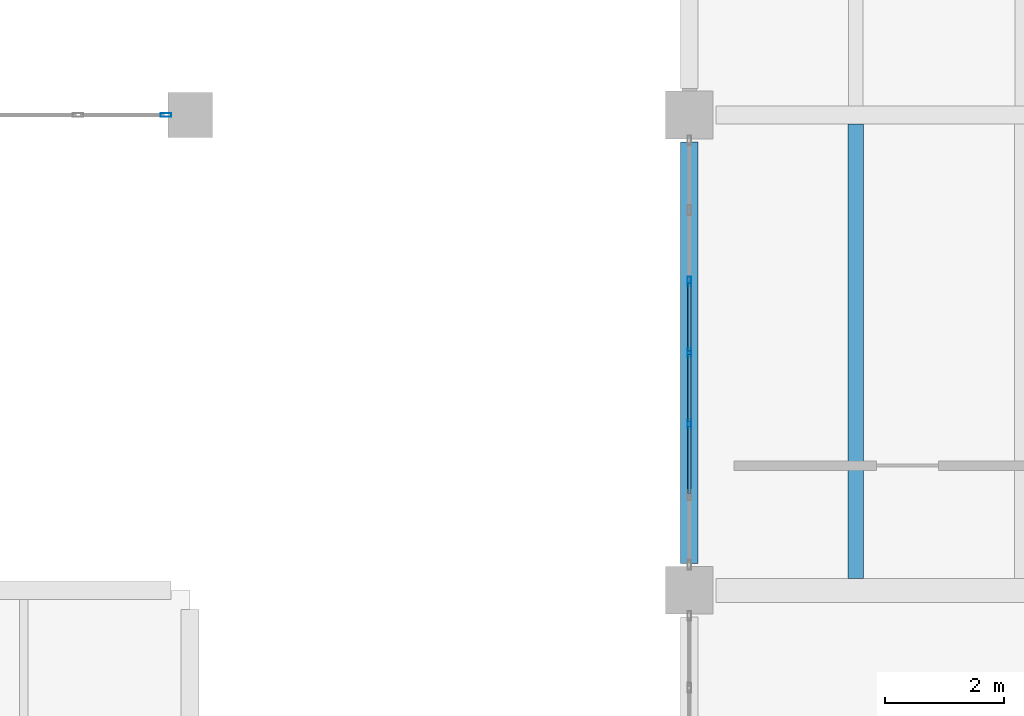
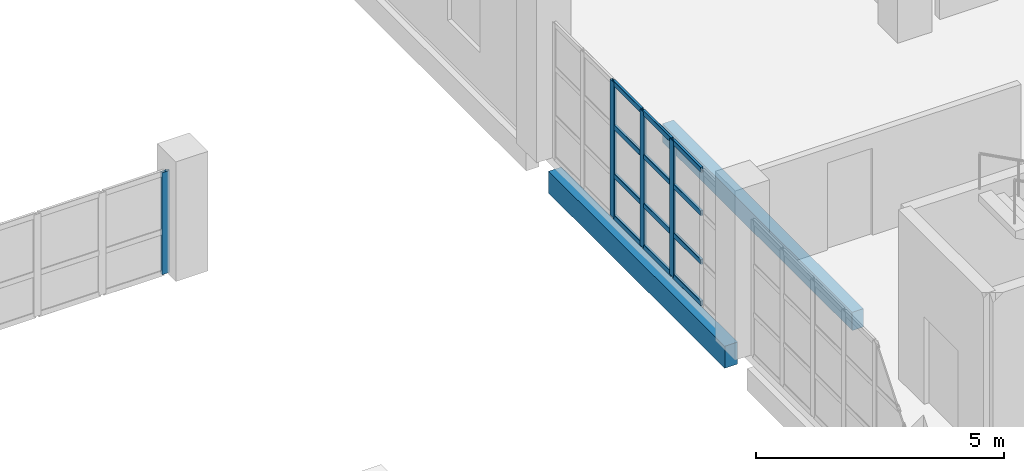
# One storey, part 20 of 177: 16 members, 2 beams, 2 elements without a shape of their own.
"""IFC4 building model written with IfcOpenShell, lengths in metres."""

from ifc_helpers import new_model, si_unit, direction, frame, origin, origin_2d, place, context, subcontext, project, spatial, rectangle, hollow_rectangle, extrude, material, layer, layer_set, material_profile, profile_set, type_object, element, aggregate, save


model = new_model("IFC4")

# Units and contexts
model_context = context("Model", 3, precision=1e-05, world=origin(), true_north=direction((0.0, 1.0)))
body_context = subcontext(model_context, "Body", "Model", "MODEL_VIEW")
ifc_project = project(units=[si_unit("LENGTHUNIT", "METRE"), si_unit("AREAUNIT", "SQUARE_METRE"), si_unit("VOLUMEUNIT", "CUBIC_METRE"), si_unit("PLANEANGLEUNIT", "RADIAN"), si_unit("MASSUNIT", "GRAM", prefix="KILO"), si_unit("THERMODYNAMICTEMPERATUREUNIT", "KELVIN"), si_unit("POWERUNIT", "WATT")], contexts=[model_context])

# Site, building, storey
site_placement = place(None, origin())
site = spatial("IfcSite", under=ifc_project, at=site_placement, CompositionType="ELEMENT")
building_placement = place(site_placement, origin())
building = spatial("IfcBuilding", under=site, at=building_placement, Name="Mavoryth Pier Ferry Terminal", CompositionType="ELEMENT")
storey_placement = place(building_placement, frame((0.0, 0.0, 5.43994140625)))
storey = spatial("IfcBuildingStorey", under=building, at=storey_placement, Name="L01", CompositionType="ELEMENT", Elevation=5.43994140625)

# Beam
ifc_material_1 = material(Name="Concrete C35/45", Category="concrete")
ifc_material_profile_1 = material_profile(ifc_material_1, rectangle(XDim=0.260009765625, YDim=0.449951171875, at=origin_2d()), Name="RC 260x450", Category="concrete")
ifc_profile_set_1 = profile_set([ifc_material_profile_1], Name="Concrete C35/45 - RC 260x450")
beam_type_1 = type_object("IfcBeamType", Name="Joist-RC-260x450", PredefinedType="JOIST", material=ifc_profile_set_1)
beam_1_placement = place(storey_placement, frame((44.800048828125, 14.199951171875, -0.48486328125), z_axis=(0.0, 1.0, 0.0), x_axis=(-1.0, 0.0, 0.0)))
element("IfcBeam", 1, at=beam_1_placement, inside=storey, type_object=beam_type_1, Name="Beam B01-BJ03-0557", PredefinedType="JOIST", context=body_context, shape_type="SweptSolid", body=[
    extrude(rectangle(XDim=0.260009765625, YDim=0.449951171875, at=origin_2d()), origin(), (0.0, 0.0, 1.0), 7.650146484375),
])

# Curtain wall, members
ifc_material_2 = material(Name="Anodised Aluminium and Solar-Control Low-E Glass", Category="aluminium")
ifc_layer_1 = layer(ifc_material_2, 0.239990234375, Name="Anodised Aluminium and Solar-Control Low-E Glass", Category="aluminium")
ifc_layer_set_1 = layer_set([ifc_layer_1], Name="Anodised Aluminium and Solar-Control Low-E Glass - CW-Operations-Mod1200")
curtain_wall_type_1 = type_object("IfcCurtainWallType", Name="CW-Operations-Mod1200", PredefinedType="USERDEFINED", material=ifc_layer_set_1)
curtain_wall_1_placement = place(storey_placement, origin())
curtain_wall_1 = element("IfcCurtainWall", 2, at=curtain_wall_1_placement, inside=storey, type_object=curtain_wall_type_1, Name="Curtain Wall CW-0122-122", ObjectType="UNITISED CURTAIN WALL", PredefinedType="USERDEFINED")
ifc_material_3 = material(Name="Anodised Aluminium EN AW-6063", Category="aluminium")
ifc_material_profile_2 = material_profile(ifc_material_3, hollow_rectangle(XDim=0.06005859375, YDim=0.1650390625, WallThickness=0.00390625, InnerFilletRadius=0.00390625, OuterFilletRadius=0.008056640625, at=origin_2d()), Name="AL-MULL 165x60x4", Category="aluminium")
ifc_profile_set_2 = profile_set([ifc_material_profile_2], Name="Anodised Aluminium EN AW-6063 - AL-MULL 165x60x4")
member_type_1 = type_object("IfcMemberType", Name="Mullion-Alum-165x60", PredefinedType="MULLION", material=ifc_profile_set_2)
member_1_placement = place(storey_placement, frame((42.0, 19.199951171875, 0.0), z_axis=(0.0, 0.0, 1.0), x_axis=(1.0, 0.0, 0.0)))
member_1 = element("IfcMember", 3, at=member_1_placement, type_object=member_type_1, Name="CW06 mullion 3", PredefinedType="MULLION", context=body_context, shape_type="SweptSolid", body=[
    extrude(hollow_rectangle(XDim=0.06005859375, YDim=0.1650390625, WallThickness=0.00390625, InnerFilletRadius=0.00390625, OuterFilletRadius=0.008056640625, at=origin_2d()), origin(), (0.0, 0.0, 1.0), 3.344970703125),
])
member_2_placement = place(storey_placement, frame((42.0, 18.0, 0.0), z_axis=(0.0, 0.0, 1.0), x_axis=(1.0, 0.0, 0.0)))
member_2 = element("IfcMember", 4, at=member_2_placement, type_object=member_type_1, Name="CW06 mullion 4", PredefinedType="MULLION", context=body_context, shape_type="SweptSolid", body=[
    extrude(hollow_rectangle(XDim=0.06005859375, YDim=0.1650390625, WallThickness=0.00390625, InnerFilletRadius=0.00390625, OuterFilletRadius=0.008056640625, at=origin_2d()), origin(), (0.0, 0.0, 1.0), 3.344970703125),
])
member_3_placement = place(storey_placement, frame((42.0, 16.800048828125, 0.0), z_axis=(0.0, 0.0, 1.0), x_axis=(1.0, 0.0, 0.0)))
member_3 = element("IfcMember", 5, at=member_3_placement, type_object=member_type_1, Name="CW06 mullion 5", PredefinedType="MULLION", context=body_context, shape_type="SweptSolid", body=[
    extrude(hollow_rectangle(XDim=0.06005859375, YDim=0.1650390625, WallThickness=0.00390625, InnerFilletRadius=0.00390625, OuterFilletRadius=0.008056640625, at=origin_2d()), origin(), (0.0, 0.0, 1.0), 3.344970703125),
])

# Curtain wall, member
ifc_layer_2 = layer(ifc_material_2, 0.179931640625, Name="Anodised Aluminium and Solar-Control Low-E Glass", Category="aluminium")
ifc_layer_set_2 = layer_set([ifc_layer_2], Name="Anodised Aluminium and Solar-Control Low-E Glass - CW-Concourse-Mod1400")
curtain_wall_type_2 = type_object("IfcCurtainWallType", Name="CW-Concourse-Mod1400", PredefinedType="USERDEFINED", material=ifc_layer_set_2)
curtain_wall_2_placement = place(storey_placement, origin())
curtain_wall_2 = element("IfcCurtainWall", 6, at=curtain_wall_2_placement, inside=storey, type_object=curtain_wall_type_2, Name="Curtain Wall CW-0133-048", ObjectType="UNITISED CURTAIN WALL", PredefinedType="USERDEFINED")
ifc_material_profile_3 = material_profile(ifc_material_3, hollow_rectangle(XDim=0.06494140625, YDim=0.179931640625, WallThickness=0.00390625, InnerFilletRadius=0.00390625, OuterFilletRadius=0.008056640625, at=origin_2d()), Name="AL-MULL 180x65x4", Category="aluminium")
ifc_profile_set_3 = profile_set([ifc_material_profile_3], Name="Anodised Aluminium EN AW-6063 - AL-MULL 180x65x4")
member_type_2 = type_object("IfcMemberType", Name="Mullion-Alum-180x65", PredefinedType="MULLION", material=ifc_profile_set_3)
member_4_placement = place(storey_placement, frame((33.1923828125, 22.0, 0.0), z_axis=(0.0, 0.0, 1.0), x_axis=(0.0, 1.0, 0.0)))
member_4 = element("IfcMember", 7, at=member_4_placement, type_object=member_type_2, Name="CW01 mullion 6", PredefinedType="MULLION", context=body_context, shape_type="SweptSolid", body=[
    extrude(hollow_rectangle(XDim=0.06494140625, YDim=0.179931640625, WallThickness=0.00390625, InnerFilletRadius=0.00390625, OuterFilletRadius=0.008056640625, at=origin_2d()), origin(), (0.0, 0.0, 1.0), 2.510009765625),
])
aggregate(curtain_wall_2, [member_4])

# Beam
ifc_material_profile_4 = material_profile(ifc_material_1, rectangle(XDim=0.300048828125, YDim=0.5400390625, at=origin_2d()), Name="RC 300x540", Category="concrete")
ifc_profile_set_4 = profile_set([ifc_material_profile_4], Name="Concrete C35/45 - RC 300x540")
beam_type_2 = type_object("IfcBeamType", Name="Spandrel-RC-300x540", PredefinedType="SPANDREL", material=ifc_profile_set_4)
beam_2_placement = place(storey_placement, frame((42.0, 14.449951171875, -0.530029296875), z_axis=(0.0, 1.0, 0.0), x_axis=(-1.0, 0.0, 0.0)))
element("IfcBeam", 8, at=beam_2_placement, inside=storey, type_object=beam_type_2, Name="Beam B01-SP02-0536", PredefinedType="SPANDREL", context=body_context, shape_type="SweptSolid", body=[
    extrude(rectangle(XDim=0.300048828125, YDim=0.5400390625, at=origin_2d()), origin(), (0.0, 0.0, 1.0), 7.10009765625),
])

# Member
ifc_material_profile_5 = material_profile(ifc_material_3, hollow_rectangle(XDim=0.06005859375, YDim=0.125, WallThickness=0.00390625, InnerFilletRadius=0.00390625, OuterFilletRadius=0.008056640625, at=origin_2d()), Name="AL-TRAN 125x60x4", Category="aluminium")
ifc_profile_set_5 = profile_set([ifc_material_profile_5], Name="Anodised Aluminium EN AW-6063 - AL-TRAN 125x60x4")
member_type_3 = type_object("IfcMemberType", Name="Transom-Alum-125x60", PredefinedType="USERDEFINED", material=ifc_profile_set_5)
member_5_placement = place(storey_placement, frame((42.0, 19.169921875, 0.030029296875), z_axis=(0.0, -1.0, 0.0), x_axis=(1.0, 0.0, 0.0)))
member_5 = element("IfcMember", 9, at=member_5_placement, type_object=member_type_3, Name="CW06 transom 3.1", ObjectType="TRANSOM", PredefinedType="USERDEFINED", context=body_context, shape_type="SweptSolid", body=[
    extrude(hollow_rectangle(XDim=0.06005859375, YDim=0.125, WallThickness=0.00390625, InnerFilletRadius=0.00390625, OuterFilletRadius=0.008056640625, at=origin_2d()), origin(), (0.0, 0.0, 1.0), 1.139892578125),
])

member_6_placement = place(storey_placement, frame((42.0, 19.169921875, 1.050048828125), z_axis=(0.0, -1.0, 0.0), x_axis=(1.0, 0.0, 0.0)))
member_6 = element("IfcMember", 10, at=member_6_placement, type_object=member_type_3, Name="CW06 transom 3.2", ObjectType="TRANSOM", PredefinedType="USERDEFINED", context=body_context, shape_type="SweptSolid", body=[
    extrude(hollow_rectangle(XDim=0.06005859375, YDim=0.125, WallThickness=0.00390625, InnerFilletRadius=0.00390625, OuterFilletRadius=0.008056640625, at=origin_2d()), origin(), (0.0, 0.0, 1.0), 1.139892578125),
])

member_7_placement = place(storey_placement, frame((42.0, 19.169921875, 2.25), z_axis=(0.0, -1.0, 0.0), x_axis=(1.0, 0.0, 0.0)))
member_7 = element("IfcMember", 11, at=member_7_placement, type_object=member_type_3, Name="CW06 transom 3.3", ObjectType="TRANSOM", PredefinedType="USERDEFINED", context=body_context, shape_type="SweptSolid", body=[
    extrude(hollow_rectangle(XDim=0.06005859375, YDim=0.125, WallThickness=0.00390625, InnerFilletRadius=0.00390625, OuterFilletRadius=0.008056640625, at=origin_2d()), origin(), (0.0, 0.0, 1.0), 1.139892578125),
])

member_8_placement = place(storey_placement, frame((42.0, 19.169921875, 3.31494140625), z_axis=(0.0, -1.0, 0.0), x_axis=(1.0, 0.0, 0.0)))
member_8 = element("IfcMember", 12, at=member_8_placement, type_object=member_type_3, Name="CW06 transom 3.4", ObjectType="TRANSOM", PredefinedType="USERDEFINED", context=body_context, shape_type="SweptSolid", body=[
    extrude(hollow_rectangle(XDim=0.06005859375, YDim=0.125, WallThickness=0.00390625, InnerFilletRadius=0.00390625, OuterFilletRadius=0.008056640625, at=origin_2d()), origin(), (0.0, 0.0, 1.0), 1.139892578125),
])

member_9_placement = place(storey_placement, frame((42.0, 17.969970703125, 0.030029296875), z_axis=(0.0, -1.0, 0.0), x_axis=(1.0, 0.0, 0.0)))
member_9 = element("IfcMember", 13, at=member_9_placement, type_object=member_type_3, Name="CW06 transom 4.1", ObjectType="TRANSOM", PredefinedType="USERDEFINED", context=body_context, shape_type="SweptSolid", body=[
    extrude(hollow_rectangle(XDim=0.06005859375, YDim=0.125, WallThickness=0.00390625, InnerFilletRadius=0.00390625, OuterFilletRadius=0.008056640625, at=origin_2d()), origin(), (0.0, 0.0, 1.0), 1.139892578125),
])

member_10_placement = place(storey_placement, frame((42.0, 17.969970703125, 1.050048828125), z_axis=(0.0, -1.0, 0.0), x_axis=(1.0, 0.0, 0.0)))
member_10 = element("IfcMember", 14, at=member_10_placement, type_object=member_type_3, Name="CW06 transom 4.2", ObjectType="TRANSOM", PredefinedType="USERDEFINED", context=body_context, shape_type="SweptSolid", body=[
    extrude(hollow_rectangle(XDim=0.06005859375, YDim=0.125, WallThickness=0.00390625, InnerFilletRadius=0.00390625, OuterFilletRadius=0.008056640625, at=origin_2d()), origin(), (0.0, 0.0, 1.0), 1.139892578125),
])

member_11_placement = place(storey_placement, frame((42.0, 17.969970703125, 2.25), z_axis=(0.0, -1.0, 0.0), x_axis=(1.0, 0.0, 0.0)))
member_11 = element("IfcMember", 15, at=member_11_placement, type_object=member_type_3, Name="CW06 transom 4.3", ObjectType="TRANSOM", PredefinedType="USERDEFINED", context=body_context, shape_type="SweptSolid", body=[
    extrude(hollow_rectangle(XDim=0.06005859375, YDim=0.125, WallThickness=0.00390625, InnerFilletRadius=0.00390625, OuterFilletRadius=0.008056640625, at=origin_2d()), origin(), (0.0, 0.0, 1.0), 1.139892578125),
])

member_12_placement = place(storey_placement, frame((42.0, 17.969970703125, 3.31494140625), z_axis=(0.0, -1.0, 0.0), x_axis=(1.0, 0.0, 0.0)))
member_12 = element("IfcMember", 16, at=member_12_placement, type_object=member_type_3, Name="CW06 transom 4.4", ObjectType="TRANSOM", PredefinedType="USERDEFINED", context=body_context, shape_type="SweptSolid", body=[
    extrude(hollow_rectangle(XDim=0.06005859375, YDim=0.125, WallThickness=0.00390625, InnerFilletRadius=0.00390625, OuterFilletRadius=0.008056640625, at=origin_2d()), origin(), (0.0, 0.0, 1.0), 1.139892578125),
])

member_13_placement = place(storey_placement, frame((42.0, 16.77001953125, 0.030029296875), z_axis=(0.0, -1.0, 0.0), x_axis=(1.0, 0.0, 0.0)))
member_13 = element("IfcMember", 17, at=member_13_placement, type_object=member_type_3, Name="CW06 transom 5.1", ObjectType="TRANSOM", PredefinedType="USERDEFINED", context=body_context, shape_type="SweptSolid", body=[
    extrude(hollow_rectangle(XDim=0.06005859375, YDim=0.125, WallThickness=0.00390625, InnerFilletRadius=0.00390625, OuterFilletRadius=0.008056640625, at=origin_2d()), origin(), (0.0, 0.0, 1.0), 1.14013671875),
])

member_14_placement = place(storey_placement, frame((42.0, 16.77001953125, 1.050048828125), z_axis=(0.0, -1.0, 0.0), x_axis=(1.0, 0.0, 0.0)))
member_14 = element("IfcMember", 18, at=member_14_placement, type_object=member_type_3, Name="CW06 transom 5.2", ObjectType="TRANSOM", PredefinedType="USERDEFINED", context=body_context, shape_type="SweptSolid", body=[
    extrude(hollow_rectangle(XDim=0.06005859375, YDim=0.125, WallThickness=0.00390625, InnerFilletRadius=0.00390625, OuterFilletRadius=0.008056640625, at=origin_2d()), origin(), (0.0, 0.0, 1.0), 1.14013671875),
])

member_15_placement = place(storey_placement, frame((42.0, 16.77001953125, 2.25), z_axis=(0.0, -1.0, 0.0), x_axis=(1.0, 0.0, 0.0)))
member_15 = element("IfcMember", 19, at=member_15_placement, type_object=member_type_3, Name="CW06 transom 5.3", ObjectType="TRANSOM", PredefinedType="USERDEFINED", context=body_context, shape_type="SweptSolid", body=[
    extrude(hollow_rectangle(XDim=0.06005859375, YDim=0.125, WallThickness=0.00390625, InnerFilletRadius=0.00390625, OuterFilletRadius=0.008056640625, at=origin_2d()), origin(), (0.0, 0.0, 1.0), 1.14013671875),
])

member_16_placement = place(storey_placement, frame((42.0, 16.77001953125, 3.31494140625), z_axis=(0.0, -1.0, 0.0), x_axis=(1.0, 0.0, 0.0)))
member_16 = element("IfcMember", 20, at=member_16_placement, type_object=member_type_3, Name="CW06 transom 5.4", ObjectType="TRANSOM", PredefinedType="USERDEFINED", context=body_context, shape_type="SweptSolid", body=[
    extrude(hollow_rectangle(XDim=0.06005859375, YDim=0.125, WallThickness=0.00390625, InnerFilletRadius=0.00390625, OuterFilletRadius=0.008056640625, at=origin_2d()), origin(), (0.0, 0.0, 1.0), 1.14013671875),
])

aggregate(curtain_wall_1, [member_1, member_2, member_3, member_5, member_6, member_7, member_8, member_9, member_10, member_11, member_12, member_13, member_14, member_15, member_16])

save(model, "model.ifc")
